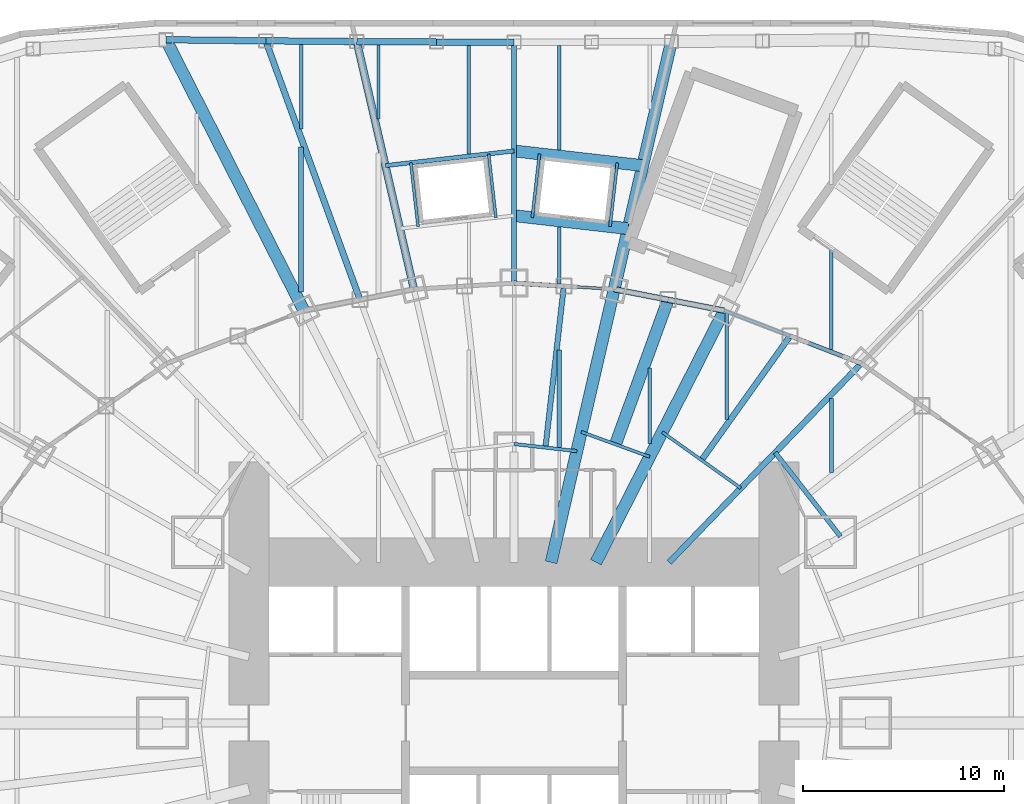
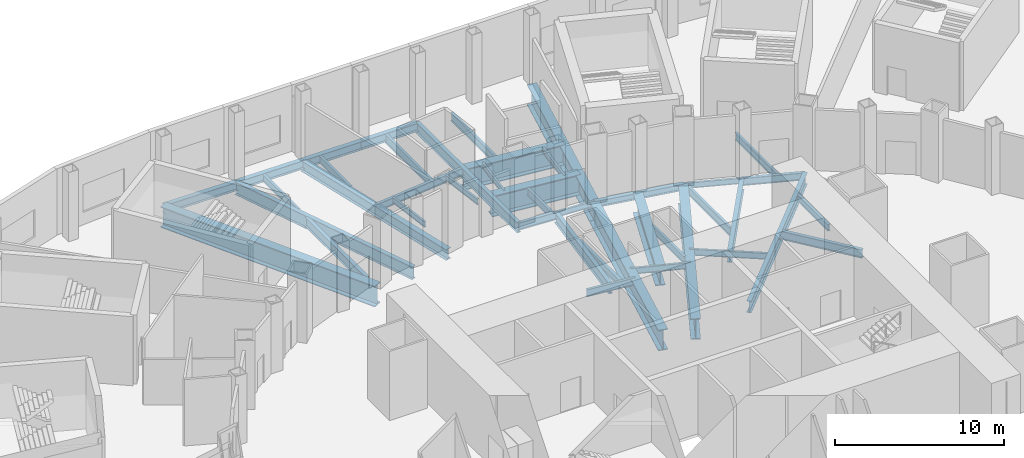
# One storey, part 7 of 73: 43 beams.
"""IFC4 building model written with IfcOpenShell, lengths in metres."""

from ifc_helpers import new_model, si_unit, direction, frame, origin, origin_2d, place, context, subcontext, project, spatial, i_section, extrude, material, material_profile, profile_set, type_object, element, save


model = new_model("IFC4")

# Units and contexts
model_context = context("Model", 3, precision=1e-05, world=origin(), true_north=direction((0.0, 1.0)))
body_context = subcontext(model_context, "Body", "Model", "MODEL_VIEW")
ifc_project = project(units=[si_unit("LENGTHUNIT", "METRE"), si_unit("AREAUNIT", "SQUARE_METRE"), si_unit("VOLUMEUNIT", "CUBIC_METRE"), si_unit("PLANEANGLEUNIT", "RADIAN"), si_unit("MASSUNIT", "GRAM", prefix="KILO")], contexts=[model_context])

# Site, building, storey
site_placement = place(None, origin())
site = spatial("IfcSite", under=ifc_project, at=site_placement, CompositionType="ELEMENT")
building_placement = place(site_placement, origin())
building = spatial("IfcBuilding", under=site, at=building_placement, Name="Lantaw Convention Tower", CompositionType="ELEMENT")
storey_placement = place(building_placement, frame((0.0, 0.0, 22.0)))
storey = spatial("IfcBuildingStorey", under=building, at=storey_placement, Name="L03", CompositionType="ELEMENT", Elevation=22.0)

# Beams
ifc_material_1 = material(Name="Steel ASTM A992", Category="steel")
ifc_material_profile_1 = material_profile(ifc_material_1, i_section(OverallWidth=0.140380859375, OverallDepth=0.40380859375, WebThickness=0.007080078125, FlangeThickness=0.01123046875, FilletRadius=0.01025390625, at=origin_2d()), Name="W16X31")
ifc_profile_set_1 = profile_set([ifc_material_profile_1], Name="Steel ASTM A992")
beam_type_1 = type_object("IfcBeamType", Name="Beam E W16X31", PredefinedType="SPANDREL", material=ifc_profile_set_1)
beam_1_placement = place(storey_placement, frame((13.745361328125, 19.270263671875, -0.40185546875), z_axis=(-0.933241815012, 0.359248820058, 0.0), x_axis=(-0.359248820058, -0.933241815012, 0.0)))
element("IfcBeam", 1, at=beam_1_placement, inside=storey, type_object=beam_type_1, Name="Edge beam 4", PredefinedType="SPANDREL", context=body_context, shape_type="SweptSolid", body=[
    extrude(i_section(OverallWidth=0.140380859375, OverallDepth=0.40380859375, WebThickness=0.007080078125, FlangeThickness=0.01123046875, FilletRadius=0.01025390625, at=origin_2d()), origin(), (0.0, 0.0, 1.0), 3.517578125),
])
beam_2_placement = place(storey_placement, frame((4.986328125, 21.59814453125, -0.40185546875), z_axis=(-0.998172405641, 0.060430527186, 0.0), x_axis=(-0.060430527186, -0.998172405641, 0.0)))
element("IfcBeam", 2, at=beam_2_placement, inside=storey, type_object=beam_type_1, Name="Edge beam 6", PredefinedType="SPANDREL", context=body_context, shape_type="SweptSolid", body=[
    extrude(i_section(OverallWidth=0.140380859375, OverallDepth=0.40380859375, WebThickness=0.007080078125, FlangeThickness=0.01123046875, FilletRadius=0.01025390625, at=origin_2d()), origin(), (0.0, 0.0, 1.0), 2.512939453125),
])
ifc_material_profile_2 = material_profile(ifc_material_1, i_section(OverallWidth=0.279296875, OverallDepth=0.462158203125, WebThickness=0.0107421875, FlangeThickness=0.017333984375, FilletRadius=0.01025390625, at=origin_2d()), Name="W18X76")
ifc_profile_set_2 = profile_set([ifc_material_profile_2], Name="Steel ASTM A992")
beam_type_2 = type_object("IfcBeamType", Name="Beam E W18X76", PredefinedType="SPANDREL", material=ifc_profile_set_2)
beam_3_placement = place(storey_placement, frame((10.462646484375, 20.533935546875, -0.43115234375), z_axis=(-0.98163593748, 0.190763954266, 0.0), x_axis=(-0.190763954266, -0.98163593748, 0.0)))
element("IfcBeam", 3, at=beam_3_placement, inside=storey, type_object=beam_type_2, Name="Edge beam 5", PredefinedType="SPANDREL", context=body_context, shape_type="SweptSolid", body=[
    extrude(i_section(OverallWidth=0.279296875, OverallDepth=0.462158203125, WebThickness=0.0107421875, FlangeThickness=0.017333984375, FilletRadius=0.01025390625, at=origin_2d()), origin(), (0.0, 0.0, 1.0), 2.84375),
])
beam_4_placement = place(storey_placement, frame((7.671142578125, 21.076416015625, -0.43115234375), z_axis=(-0.981637218105, 0.190757364289, 0.0), x_axis=(-0.190757364289, -0.981637218105, 0.0)))
element("IfcBeam", 4, at=beam_4_placement, inside=storey, type_object=beam_type_2, Name="Edge beam 5", PredefinedType="SPANDREL", context=body_context, shape_type="SweptSolid", body=[
    extrude(i_section(OverallWidth=0.279296875, OverallDepth=0.462158203125, WebThickness=0.0107421875, FlangeThickness=0.017333984375, FilletRadius=0.01025390625, at=origin_2d()), origin(), (0.0, 0.0, 1.0), 2.735107421875),
])
ifc_material_profile_3 = material_profile(ifc_material_1, i_section(OverallWidth=0.2099609375, OverallDepth=0.535888671875, WebThickness=0.010986328125, FlangeThickness=0.017333984375, FilletRadius=0.012939453125, at=origin_2d()), Name="W21X68")
ifc_profile_set_3 = profile_set([ifc_material_profile_3], Name="Steel ASTM A992")
beam_type_3 = type_object("IfcBeamType", Name="Beam E W21X68", PredefinedType="SPANDREL", material=ifc_profile_set_3)
beam_5_placement = place(storey_placement, frame((17.290771484375, 17.9052734375, -0.468017578125), z_axis=(-0.933224646415, 0.359293416754, 0.0), x_axis=(-0.359293416754, -0.933224646415, 0.0)))
element("IfcBeam", 5, at=beam_5_placement, inside=storey, type_object=beam_type_3, Name="Edge beam 4", PredefinedType="SPANDREL", context=body_context, shape_type="SweptSolid", body=[
    extrude(i_section(OverallWidth=0.2099609375, OverallDepth=0.535888671875, WebThickness=0.010986328125, FlangeThickness=0.017333984375, FilletRadius=0.012939453125, at=origin_2d()), origin(), (0.0, 0.0, 1.0), 3.799072265625),
])
beam_6_placement = place(storey_placement, frame((2.47802734375, 21.75, -0.468017578125), z_axis=(-0.998175328335, 0.060382231685, 0.0), x_axis=(-0.060382231685, -0.998175328335, 0.0)))
element("IfcBeam", 6, at=beam_6_placement, inside=storey, type_object=beam_type_3, Name="Edge beam 6", PredefinedType="SPANDREL", context=body_context, shape_type="SweptSolid", body=[
    extrude(i_section(OverallWidth=0.2099609375, OverallDepth=0.535888671875, WebThickness=0.010986328125, FlangeThickness=0.017333984375, FilletRadius=0.012939453125, at=origin_2d()), origin(), (0.0, 0.0, 1.0), 2.482666015625),
])
ifc_material_profile_4 = material_profile(ifc_material_1, i_section(OverallWidth=0.3251953125, OverallDepth=0.612060546875, WebThickness=0.0126953125, FlangeThickness=0.01904296875, FilletRadius=0.0126953125, at=origin_2d()), Name="W24X104")
ifc_profile_set_4 = profile_set([ifc_material_profile_4], Name="Steel ASTM A992")
beam_type_4 = type_object("IfcBeamType", Name="Beam E W24X104", PredefinedType="SPANDREL", material=ifc_profile_set_4)
beam_7_placement = place(storey_placement, frame((0.0, 33.89990234375, -0.506103515625), z_axis=(-0.999998320684, 0.001832656174, 0.0), x_axis=(-0.001832656174, -0.999998320684, 0.0)))
element("IfcBeam", 7, at=beam_7_placement, inside=storey, type_object=beam_type_4, Name="Podium edge beam R06", PredefinedType="SPANDREL", context=body_context, shape_type="SweptSolid", body=[
    extrude(i_section(OverallWidth=0.3251953125, OverallDepth=0.612060546875, WebThickness=0.0126953125, FlangeThickness=0.01904296875, FilletRadius=0.0126953125, at=origin_2d()), origin(), (0.0, 0.0, 1.0), 3.86328125),
])
beam_8_placement = place(storey_placement, frame((-3.86328125, 33.906982421875, -0.506103515625), z_axis=(-0.999985686096, 0.005350476918, 0.0), x_axis=(-0.005350476918, -0.999985686096, 0.0)))
element("IfcBeam", 8, at=beam_8_placement, inside=storey, type_object=beam_type_4, Name="Podium edge beam B06", PredefinedType="SPANDREL", context=body_context, shape_type="SweptSolid", body=[
    extrude(i_section(OverallWidth=0.3251953125, OverallDepth=0.612060546875, WebThickness=0.0126953125, FlangeThickness=0.01904296875, FilletRadius=0.0126953125, at=origin_2d()), origin(), (0.0, 0.0, 1.0), 3.9697265625),
])
beam_9_placement = place(storey_placement, frame((-7.8330078125, 33.92822265625, -0.506103515625), z_axis=(-0.999964655563, 0.00840759331, 0.0), x_axis=(-0.00840759331, -0.999964655563, 0.0)))
element("IfcBeam", 9, at=beam_9_placement, inside=storey, type_object=beam_type_4, Name="Podium edge beam R07", PredefinedType="SPANDREL", context=body_context, shape_type="SweptSolid", body=[
    extrude(i_section(OverallWidth=0.3251953125, OverallDepth=0.612060546875, WebThickness=0.0126953125, FlangeThickness=0.01904296875, FilletRadius=0.0126953125, at=origin_2d()), origin(), (0.0, 0.0, 1.0), 4.530029296875),
])
beam_10_placement = place(storey_placement, frame((-12.36279296875, 33.96630859375, -0.506103515625), z_axis=(-0.999942166471, 0.010754706535, 0.0), x_axis=(-0.010754706535, -0.999942166471, 0.0)))
element("IfcBeam", 10, at=beam_10_placement, inside=storey, type_object=beam_type_4, Name="Podium edge beam B07", PredefinedType="SPANDREL", context=body_context, shape_type="SweptSolid", body=[
    extrude(i_section(OverallWidth=0.3251953125, OverallDepth=0.612060546875, WebThickness=0.0126953125, FlangeThickness=0.01904296875, FilletRadius=0.0126953125, at=origin_2d()), origin(), (0.0, 0.0, 1.0), 4.971435546875),
])
ifc_material_2 = material(Name="Steel ASTM A572 Grade 50", Category="steel")
ifc_material_profile_5 = material_profile(ifc_material_2, i_section(OverallWidth=0.60009765625, OverallDepth=1.5, WebThickness=0.02490234375, FlangeThickness=0.06005859375, at=origin_2d()), Name="PG1500X600X25X60")
ifc_profile_set_5 = profile_set([ifc_material_profile_5], Name="Steel ASTM A572 Grade 50")
beam_type_5 = type_object("IfcBeamType", Name="Beam G PG1500X600X25X60", PredefinedType="BEAM", material=ifc_profile_set_5)
beam_11_placement = place(storey_placement, frame((4.076171875, 8.0, -0.949951171875), z_axis=(0.453997016122, 0.891003203896, 0.0), x_axis=(-0.891003203896, 0.453997016122, 0.0)))
element("IfcBeam", 11, at=beam_11_placement, inside=storey, type_object=beam_type_5, Name="Floor girder on ray 5", PredefinedType="BEAM", context=body_context, shape_type="SweptSolid", body=[
    extrude(i_section(OverallWidth=0.60009765625, OverallDepth=1.5, WebThickness=0.02490234375, FlangeThickness=0.06005859375, at=origin_2d()), origin(), (0.0, 0.0, 1.0), 14.067138671875),
])
beam_12_placement = place(storey_placement, frame((5.04931640625, 13.873046875, -0.949951171875), z_axis=(0.342021781151, 0.939692024664, 0.0), x_axis=(-0.939692024664, 0.342021781151, 0.0)))
element("IfcBeam", 12, at=beam_12_placement, inside=storey, type_object=beam_type_5, Name="Floor girder on bisector 5", PredefinedType="BEAM", context=body_context, shape_type="SweptSolid", body=[
    extrude(i_section(OverallWidth=0.60009765625, OverallDepth=1.5, WebThickness=0.02490234375, FlangeThickness=0.06005859375, at=origin_2d()), origin(), (0.0, 0.0, 1.0), 7.665771484375),
])
beam_13_placement = place(storey_placement, frame((1.846923828125, 8.0, -0.949951171875), z_axis=(0.224952773175, 0.97436966796, 0.0), x_axis=(-0.97436966796, 0.224952773175, 0.0)))
element("IfcBeam", 13, at=beam_13_placement, inside=storey, type_object=beam_type_5, Name="Floor girder on ray 6", PredefinedType="BEAM", context=body_context, shape_type="SweptSolid", body=[
    extrude(i_section(OverallWidth=0.60009765625, OverallDepth=1.5, WebThickness=0.02490234375, FlangeThickness=0.06005859375, at=origin_2d()), origin(), (0.0, 0.0, 1.0), 13.955810546875),
])
ifc_material_profile_6 = material_profile(ifc_material_1, i_section(OverallWidth=0.2666015625, OverallDepth=0.76953125, WebThickness=0.015625, FlangeThickness=0.025390625, FilletRadius=0.0126953125, at=origin_2d()), Name="W30X132")
ifc_profile_set_6 = profile_set([ifc_material_profile_6], Name="Steel ASTM A992")
beam_type_6 = type_object("IfcBeamType", Name="Beam G W30X132", PredefinedType="BEAM", material=ifc_profile_set_6)
beam_14_placement = place(storey_placement, frame((1.5625, 13.713134765625, -0.584716796875), z_axis=(0.113183957156, 0.993574049501, 0.0), x_axis=(-0.993574049501, 0.113183957156, 0.0)))
element("IfcBeam", 14, at=beam_14_placement, inside=storey, type_object=beam_type_6, Name="Floor girder on bisector 6", PredefinedType="BEAM", context=body_context, shape_type="SweptSolid", body=[
    extrude(i_section(OverallWidth=0.2666015625, OverallDepth=0.76953125, WebThickness=0.015625, FlangeThickness=0.025390625, FilletRadius=0.0126953125, at=origin_2d()), origin(), (0.0, 0.0, 1.0), 8.0888671875),
])
ifc_material_profile_7 = material_profile(ifc_material_1, i_section(OverallWidth=0.2919921875, OverallDepth=0.845703125, WebThickness=0.015380859375, FlangeThickness=0.0244140625, FilletRadius=0.01513671875, at=origin_2d()), Name="W33X141")
ifc_profile_set_7 = profile_set([ifc_material_profile_7], Name="Steel ASTM A992")
beam_type_7 = type_object("IfcBeamType", Name="Beam G W33X141", PredefinedType="BEAM", material=ifc_profile_set_7)
beam_15_placement = place(storey_placement, frame((7.7255859375, 8.0, -0.622802734375), z_axis=(0.694649884291, 0.719347995239, 0.0), x_axis=(-0.719347995239, 0.694649884291, 0.0)))
element("IfcBeam", 15, at=beam_15_placement, inside=storey, type_object=beam_type_7, Name="Floor girder on ray 4", PredefinedType="BEAM", context=body_context, shape_type="SweptSolid", body=[
    extrude(i_section(OverallWidth=0.2919921875, OverallDepth=0.845703125, WebThickness=0.015380859375, FlangeThickness=0.0244140625, FilletRadius=0.01513671875, at=origin_2d()), origin(), (0.0, 0.0, 1.0), 13.769775390625),
])
beam_16_placement = place(storey_placement, frame((9.335693359375, 13.088134765625, -0.622802734375), z_axis=(0.580702805158, 0.814115625745, 0.0), x_axis=(-0.814115625745, 0.580702805158, 0.0)))
element("IfcBeam", 16, at=beam_16_placement, inside=storey, type_object=beam_type_7, Name="Floor girder on bisector 4", PredefinedType="BEAM", context=body_context, shape_type="SweptSolid", body=[
    extrude(i_section(OverallWidth=0.2919921875, OverallDepth=0.845703125, WebThickness=0.015380859375, FlangeThickness=0.0244140625, FilletRadius=0.01513671875, at=origin_2d()), origin(), (0.0, 0.0, 1.0), 7.59375),
])
ifc_material_profile_8 = material_profile(ifc_material_1, i_section(OverallWidth=0.15234375, OverallDepth=0.449462890625, WebThickness=0.007568359375, FlangeThickness=0.0107421875, FilletRadius=0.01025390625, at=origin_2d()), Name="W18X35")
ifc_profile_set_8 = profile_set([ifc_material_profile_8], Name="Steel ASTM A992")
beam_type_8 = type_object("IfcBeamType", Name="Beam HC W18X35", PredefinedType="BEAM", material=ifc_profile_set_8)
beam_17_placement = place(storey_placement, frame((11.291748046875, 11.69287109375, -0.4248046875), z_axis=(-0.814110909588, 0.580709416912, 0.0), x_axis=(-0.580709416912, -0.814110909588, 0.0)))
element("IfcBeam", 17, at=beam_17_placement, inside=storey, type_object=beam_type_8, Name="Collar beam on bisector 4", PredefinedType="BEAM", context=body_context, shape_type="SweptSolid", body=[
    extrude(i_section(OverallWidth=0.15234375, OverallDepth=0.449462890625, WebThickness=0.007568359375, FlangeThickness=0.0107421875, FilletRadius=0.01025390625, at=origin_2d()), origin(), (0.0, 0.0, 1.0), 4.805419921875),
])
beam_18_placement = place(storey_placement, frame((6.752685546875, 13.253173828125, -0.4248046875), z_axis=(-0.939689171859, 0.342029619025, 0.0), x_axis=(-0.342029619025, -0.939689171859, 0.0)))
element("IfcBeam", 18, at=beam_18_placement, inside=storey, type_object=beam_type_8, Name="Collar beam on bisector 5", PredefinedType="BEAM", context=body_context, shape_type="SweptSolid", body=[
    extrude(i_section(OverallWidth=0.15234375, OverallDepth=0.449462890625, WebThickness=0.007568359375, FlangeThickness=0.0107421875, FilletRadius=0.01025390625, at=origin_2d()), origin(), (0.0, 0.0, 1.0), 3.62548828125),
])
ifc_material_profile_9 = material_profile(ifc_material_1, i_section(OverallWidth=0.165771484375, OverallDepth=0.5283203125, WebThickness=0.009765625, FlangeThickness=0.013671875, FilletRadius=0.012939453125, at=origin_2d()), Name="W21X50")
ifc_profile_set_9 = profile_set([ifc_material_profile_9], Name="Steel ASTM A992")
beam_type_9 = type_object("IfcBeamType", Name="Beam HC W21X50", PredefinedType="BEAM", material=ifc_profile_set_9)
beam_19_placement = place(storey_placement, frame((3.124755859375, 13.534912109375, -0.464111328125), z_axis=(-0.99356540907, 0.113259780595, 0.0), x_axis=(-0.113259780595, -0.99356540907, 0.0)))
element("IfcBeam", 19, at=beam_19_placement, inside=storey, type_object=beam_type_9, Name="Collar beam on bisector 6", PredefinedType="BEAM", context=body_context, shape_type="SweptSolid", body=[
    extrude(i_section(OverallWidth=0.165771484375, OverallDepth=0.5283203125, WebThickness=0.009765625, FlangeThickness=0.013671875, FilletRadius=0.012939453125, at=origin_2d()), origin(), (0.0, 0.0, 1.0), 3.14501953125),
])
ifc_material_profile_10 = material_profile(ifc_material_1, i_section(OverallWidth=0.22900390625, OverallDepth=0.612060546875, WebThickness=0.011962890625, FlangeThickness=0.01953125, FilletRadius=0.0126953125, at=origin_2d()), Name="W24X84")
ifc_profile_set_10 = profile_set([ifc_material_profile_10], Name="Steel ASTM A992")
beam_type_10 = type_object("IfcBeamType", Name="Beam HC W24X84", PredefinedType="BEAM", material=ifc_profile_set_10)
beam_20_placement = place(storey_placement, frame((16.2529296875, 9.287353515625, -0.506103515625), z_axis=(-0.613915067401, 0.789372085913, 0.0), x_axis=(-0.789372085913, -0.613915067401, 0.0)))
element("IfcBeam", 20, at=beam_20_placement, inside=storey, type_object=beam_type_10, Name="Collar beam on bisector 3", PredefinedType="BEAM", context=body_context, shape_type="SweptSolid", body=[
    extrude(i_section(OverallWidth=0.22900390625, OverallDepth=0.612060546875, WebThickness=0.011962890625, FlangeThickness=0.01953125, FilletRadius=0.0126953125, at=origin_2d()), origin(), (0.0, 0.0, 1.0), 5.293212890625),
])
ifc_material_profile_11 = material_profile(ifc_material_1, i_section(OverallWidth=0.1904296875, OverallDepth=0.457275390625, WebThickness=0.009033203125, FlangeThickness=0.014404296875, FilletRadius=0.01025390625, at=origin_2d()), Name="W18X50")
ifc_profile_set_11 = profile_set([ifc_material_profile_11], Name="Steel ASTM A992")
beam_type_11 = type_object("IfcBeamType", Name="Beam J W18X50", PredefinedType="JOIST", material=ifc_profile_set_11)
beam_21_placement = place(storey_placement, frame((15.800048828125, 12.472900390625, -0.4287109375), z_axis=(0.0, 1.0, 0.0), x_axis=(-1.0, 0.0, 0.0)))
element("IfcBeam", 21, at=beam_21_placement, inside=storey, type_object=beam_type_11, Name="Floor joist", PredefinedType="JOIST", context=body_context, shape_type="SweptSolid", body=[
    extrude(i_section(OverallWidth=0.1904296875, OverallDepth=0.457275390625, WebThickness=0.009033203125, FlangeThickness=0.014404296875, FilletRadius=0.01025390625, at=origin_2d()), origin(), (0.0, 0.0, 1.0), 3.67822265625),
])
ifc_material_profile_12 = material_profile(ifc_material_1, i_section(OverallWidth=0.1650390625, OverallDepth=0.52587890625, WebThickness=0.0087890625, FlangeThickness=0.011474609375, FilletRadius=0.0126953125, at=origin_2d()), Name="W21X44")
ifc_profile_set_12 = profile_set([ifc_material_profile_12], Name="Steel ASTM A992")
beam_type_12 = type_object("IfcBeamType", Name="Beam J W21X44", PredefinedType="JOIST", material=ifc_profile_set_12)
beam_22_placement = place(storey_placement, frame((-10.60009765625, 29.572509765625, -0.462890625), z_axis=(0.0, 1.0, 0.0), x_axis=(-1.0, 0.0, 0.0)))
element("IfcBeam", 22, at=beam_22_placement, inside=storey, type_object=beam_type_12, Name="Floor joist", PredefinedType="JOIST", context=body_context, shape_type="SweptSolid", body=[
    extrude(i_section(OverallWidth=0.1650390625, OverallDepth=0.52587890625, WebThickness=0.0087890625, FlangeThickness=0.011474609375, FilletRadius=0.0126953125, at=origin_2d()), origin(), (0.0, 0.0, 1.0), 4.21630859375),
])
beam_23_placement = place(storey_placement, frame((-6.75, 30.084228515625, -0.462890625), z_axis=(0.0, 1.0, 0.0), x_axis=(-1.0, 0.0, 0.0)))
element("IfcBeam", 23, at=beam_23_placement, inside=storey, type_object=beam_type_12, Name="Floor joist", PredefinedType="JOIST", context=body_context, shape_type="SweptSolid", body=[
    extrude(i_section(OverallWidth=0.1650390625, OverallDepth=0.52587890625, WebThickness=0.0087890625, FlangeThickness=0.011474609375, FilletRadius=0.0126953125, at=origin_2d()), origin(), (0.0, 0.0, 1.0), 3.675537109375),
])
beam_24_placement = place(storey_placement, frame((2.25, 21.868896484375, -0.462890625), z_axis=(0.0, 1.0, 0.0), x_axis=(-1.0, 0.0, 0.0)))
element("IfcBeam", 24, at=beam_24_placement, inside=storey, type_object=beam_type_12, Name="Floor joist", PredefinedType="JOIST", context=body_context, shape_type="SweptSolid", body=[
    extrude(i_section(OverallWidth=0.1650390625, OverallDepth=0.52587890625, WebThickness=0.0087890625, FlangeThickness=0.011474609375, FilletRadius=0.0126953125, at=origin_2d()), origin(), (0.0, 0.0, 1.0), 2.835205078125),
])
beam_25_placement = place(storey_placement, frame((6.75, 13.914794921875, -0.462890625), z_axis=(0.0, 1.0, 0.0), x_axis=(-1.0, 0.0, 0.0)))
element("IfcBeam", 25, at=beam_25_placement, inside=storey, type_object=beam_type_12, Name="Floor joist", PredefinedType="JOIST", context=body_context, shape_type="SweptSolid", body=[
    extrude(i_section(OverallWidth=0.1650390625, OverallDepth=0.52587890625, WebThickness=0.0087890625, FlangeThickness=0.011474609375, FilletRadius=0.0126953125, at=origin_2d()), origin(), (0.0, 0.0, 1.0), 3.75341796875),
])
ifc_material_profile_13 = material_profile(ifc_material_1, i_section(OverallWidth=0.165771484375, OverallDepth=0.5283203125, WebThickness=0.009765625, FlangeThickness=0.013671875, FilletRadius=0.012939453125, at=origin_2d()), Name="W21X50")
ifc_profile_set_13 = profile_set([ifc_material_profile_13], Name="Steel ASTM A992")
beam_type_13 = type_object("IfcBeamType", Name="Beam J W21X50", PredefinedType="JOIST", material=ifc_profile_set_13)
beam_26_placement = place(storey_placement, frame((15.800048828125, 18.591552734375, -0.464111328125), z_axis=(0.0, 1.0, 0.0), x_axis=(-1.0, 0.0, 0.0)))
element("IfcBeam", 26, at=beam_26_placement, inside=storey, type_object=beam_type_13, Name="Floor joist", PredefinedType="JOIST", context=body_context, shape_type="SweptSolid", body=[
    extrude(i_section(OverallWidth=0.165771484375, OverallDepth=0.5283203125, WebThickness=0.009765625, FlangeThickness=0.013671875, FilletRadius=0.012939453125, at=origin_2d()), origin(), (0.0, 0.0, 1.0), 4.93212890625),
])
ifc_material_profile_14 = material_profile(ifc_material_1, i_section(OverallWidth=0.2099609375, OverallDepth=0.535888671875, WebThickness=0.010986328125, FlangeThickness=0.017333984375, FilletRadius=0.012939453125, at=origin_2d()), Name="W21X68")
ifc_profile_set_14 = profile_set([ifc_material_profile_14], Name="Steel ASTM A992")
beam_type_14 = type_object("IfcBeamType", Name="Beam J W21X68", PredefinedType="JOIST", material=ifc_profile_set_14)
beam_27_placement = place(storey_placement, frame((2.25, 13.71826171875, -0.468017578125), z_axis=(0.0, 1.0, 0.0), x_axis=(-1.0, 0.0, 0.0)))
element("IfcBeam", 27, at=beam_27_placement, inside=storey, type_object=beam_type_14, Name="Floor joist", PredefinedType="JOIST", context=body_context, shape_type="SweptSolid", body=[
    extrude(i_section(OverallWidth=0.2099609375, OverallDepth=0.535888671875, WebThickness=0.010986328125, FlangeThickness=0.017333984375, FilletRadius=0.012939453125, at=origin_2d()), origin(), (0.0, 0.0, 1.0), 4.851806640625),
])
ifc_material_profile_15 = material_profile(ifc_material_1, i_section(OverallWidth=0.177978515625, OverallDepth=0.599365234375, WebThickness=0.010009765625, FlangeThickness=0.012939453125, FilletRadius=0.012939453125, at=origin_2d()), Name="W24X55")
ifc_profile_set_15 = profile_set([ifc_material_profile_15], Name="Steel ASTM A992")
beam_type_15 = type_object("IfcBeamType", Name="Beam J W24X55", PredefinedType="JOIST", material=ifc_profile_set_15)
beam_28_placement = place(storey_placement, frame((-2.25, 28.33251953125, -0.499755859375), z_axis=(0.0, 1.0, 0.0), x_axis=(-1.0, 0.0, 0.0)))
element("IfcBeam", 28, at=beam_28_placement, inside=storey, type_object=beam_type_15, Name="Floor joist", PredefinedType="JOIST", context=body_context, shape_type="SweptSolid", body=[
    extrude(i_section(OverallWidth=0.177978515625, OverallDepth=0.599365234375, WebThickness=0.010009765625, FlangeThickness=0.012939453125, FilletRadius=0.012939453125, at=origin_2d()), origin(), (0.0, 0.0, 1.0), 5.408935546875),
])
beam_29_placement = place(storey_placement, frame((2.25, 28.528564453125, -0.499755859375), z_axis=(0.0, 1.0, 0.0), x_axis=(-1.0, 0.0, 0.0)))
element("IfcBeam", 29, at=beam_29_placement, inside=storey, type_object=beam_type_15, Name="Floor joist", PredefinedType="JOIST", context=body_context, shape_type="SweptSolid", body=[
    extrude(i_section(OverallWidth=0.177978515625, OverallDepth=0.599365234375, WebThickness=0.010009765625, FlangeThickness=0.012939453125, FilletRadius=0.012939453125, at=origin_2d()), origin(), (0.0, 0.0, 1.0), 5.212890625),
])
beam_30_placement = place(storey_placement, frame((10.60009765625, 15.112060546875, -0.499755859375), z_axis=(0.0, 1.0, 0.0), x_axis=(-1.0, 0.0, 0.0)))
element("IfcBeam", 30, at=beam_30_placement, inside=storey, type_object=beam_type_15, Name="Floor joist", PredefinedType="JOIST", context=body_context, shape_type="SweptSolid", body=[
    extrude(i_section(OverallWidth=0.177978515625, OverallDepth=0.599365234375, WebThickness=0.010009765625, FlangeThickness=0.012939453125, FilletRadius=0.012939453125, at=origin_2d()), origin(), (0.0, 0.0, 1.0), 5.293701171875),
])
ifc_material_profile_16 = material_profile(ifc_material_1, i_section(OverallWidth=0.25390625, OverallDepth=0.683349609375, WebThickness=0.012451171875, FlangeThickness=0.01904296875, FilletRadius=0.01513671875, at=origin_2d()), Name="W27X94")
ifc_profile_set_16 = profile_set([ifc_material_profile_16], Name="Steel ASTM A992")
beam_type_16 = type_object("IfcBeamType", Name="Beam J W27X94", PredefinedType="JOIST", material=ifc_profile_set_16)
beam_31_placement = place(storey_placement, frame((-10.60009765625, 21.464599609375, -0.541748046875), z_axis=(0.0, 1.0, 0.0), x_axis=(-1.0, 0.0, 0.0)))
element("IfcBeam", 31, at=beam_31_placement, inside=storey, type_object=beam_type_16, Name="Floor joist", PredefinedType="JOIST", context=body_context, shape_type="SweptSolid", body=[
    extrude(i_section(OverallWidth=0.25390625, OverallDepth=0.683349609375, WebThickness=0.012451171875, FlangeThickness=0.01904296875, FilletRadius=0.01513671875, at=origin_2d()), origin(), (0.0, 0.0, 1.0), 7.20947265625),
])
ifc_material_profile_17 = material_profile(ifc_material_2, i_section(OverallWidth=0.60009765625, OverallDepth=1.5, WebThickness=0.02490234375, FlangeThickness=0.06005859375, at=origin_2d()), Name="PG1500X600X25X60")
ifc_profile_set_17 = profile_set([ifc_material_profile_17], Name="Steel ASTM A572 Grade 50")
beam_type_17 = type_object("IfcBeamType", Name="Beam PG PG1500X600X25X60", PredefinedType="BEAM", material=ifc_profile_set_17)
beam_32_placement = place(storey_placement, frame((4.986328125, 21.59814453125, -0.949951171875), z_axis=(0.224955319834, 0.974369080009, 0.0), x_axis=(-0.974369080009, 0.224955319834, 0.0)))
element("IfcBeam", 32, at=beam_32_placement, inside=storey, type_object=beam_type_17, Name="Podium girder PR06", PredefinedType="BEAM", context=body_context, shape_type="SweptSolid", body=[
    extrude(i_section(OverallWidth=0.60009765625, OverallDepth=1.5, WebThickness=0.02490234375, FlangeThickness=0.06005859375, at=origin_2d()), origin(), (0.0, 0.0, 1.0), 12.654541015625),
])
beam_33_placement = place(storey_placement, frame((-10.462646484375, 20.533935546875, -0.949951171875), z_axis=(-0.453988364005, 0.891007612396, 0.0), x_axis=(-0.891007612396, -0.453988364005, 0.0)))
element("IfcBeam", 33, at=beam_33_placement, inside=storey, type_object=beam_type_17, Name="Podium girder PR09", PredefinedType="BEAM", context=body_context, shape_type="SweptSolid", body=[
    extrude(i_section(OverallWidth=0.60009765625, OverallDepth=1.5, WebThickness=0.02490234375, FlangeThickness=0.06005859375, at=origin_2d()), origin(), (0.0, 0.0, 1.0), 15.135498046875),
])
ifc_material_profile_18 = material_profile(ifc_material_1, i_section(OverallWidth=0.2666015625, OverallDepth=0.76953125, WebThickness=0.015625, FlangeThickness=0.025390625, FilletRadius=0.0126953125, at=origin_2d()), Name="W30X132")
ifc_profile_set_18 = profile_set([ifc_material_profile_18], Name="Steel ASTM A992")
beam_type_18 = type_object("IfcBeamType", Name="Beam PG W30X132", PredefinedType="BEAM", material=ifc_profile_set_18)
beam_34_placement = place(storey_placement, frame((0.0, 21.89990234375, -0.584716796875), z_axis=(0.0, 1.0, 0.0), x_axis=(-1.0, 0.0, 0.0)))
element("IfcBeam", 34, at=beam_34_placement, inside=storey, type_object=beam_type_18, Name="Podium girder PR07", PredefinedType="BEAM", context=body_context, shape_type="SweptSolid", body=[
    extrude(i_section(OverallWidth=0.2666015625, OverallDepth=0.76953125, WebThickness=0.015625, FlangeThickness=0.025390625, FilletRadius=0.0126953125, at=origin_2d()), origin(), (0.0, 0.0, 1.0), 12.0),
])
ifc_material_profile_19 = material_profile(ifc_material_1, i_section(OverallWidth=0.381103515625, OverallDepth=0.772216796875, WebThickness=0.0166015625, FlangeThickness=0.027099609375, FilletRadius=0.0146484375, at=origin_2d()), Name="W30X173")
ifc_profile_set_19 = profile_set([ifc_material_profile_19], Name="Steel ASTM A992")
beam_type_19 = type_object("IfcBeamType", Name="Beam PG W30X173", PredefinedType="BEAM", material=ifc_profile_set_19)
beam_35_placement = place(storey_placement, frame((-4.986328125, 21.59814453125, -0.586181640625), z_axis=(-0.224955319834, 0.974369080009, 0.0), x_axis=(-0.974369080009, -0.224955319834, 0.0)))
element("IfcBeam", 35, at=beam_35_placement, inside=storey, type_object=beam_type_19, Name="Podium girder PR08", PredefinedType="BEAM", context=body_context, shape_type="SweptSolid", body=[
    extrude(i_section(OverallWidth=0.381103515625, OverallDepth=0.772216796875, WebThickness=0.0166015625, FlangeThickness=0.027099609375, FilletRadius=0.0146484375, at=origin_2d()), origin(), (0.0, 0.0, 1.0), 12.654541015625),
])
ifc_material_profile_20 = material_profile(ifc_material_1, i_section(OverallWidth=0.307373046875, OverallDepth=0.922119140625, WebThickness=0.018310546875, FlangeThickness=0.030029296875, FilletRadius=0.0126953125, at=origin_2d()), Name="W36X182")
ifc_profile_set_20 = profile_set([ifc_material_profile_20], Name="Steel ASTM A992")
beam_type_20 = type_object("IfcBeamType", Name="Beam PG W36X182", PredefinedType="BEAM", material=ifc_profile_set_20)
beam_36_placement = place(storey_placement, frame((-7.671142578125, 21.076416015625, -0.660888671875), z_axis=(-0.342027428416, 0.939689969198, 0.0), x_axis=(-0.939689969198, -0.342027428416, 0.0)))
element("IfcBeam", 36, at=beam_36_placement, inside=storey, type_object=beam_type_20, Name="Podium girder PB08", PredefinedType="BEAM", context=body_context, shape_type="SweptSolid", body=[
    extrude(i_section(OverallWidth=0.307373046875, OverallDepth=0.922119140625, WebThickness=0.018310546875, FlangeThickness=0.030029296875, FilletRadius=0.0126953125, at=origin_2d()), origin(), (0.0, 0.0, 1.0), 13.71728515625),
])
ifc_material_profile_21 = material_profile(ifc_material_2, i_section(OverallWidth=0.60009765625, OverallDepth=1.5, WebThickness=0.02490234375, FlangeThickness=0.06005859375, at=origin_2d()), Name="PG1500X600X25X60")
ifc_profile_set_21 = profile_set([ifc_material_profile_21], Name="Steel ASTM A572 Grade 50")
beam_type_21 = type_object("IfcBeamType", Name="Beam TR PG1500X600X25X60", PredefinedType="BEAM", material=ifc_profile_set_21)
beam_37_placement = place(storey_placement, frame((5.682861328125, 24.614990234375, -0.949951171875), z_axis=(-0.99357223569, 0.11319987838, 0.0), x_axis=(-0.11319987838, -0.99357223569, 0.0)))
element("IfcBeam", 37, at=beam_37_placement, inside=storey, type_object=beam_type_21, Name="Opening trimmer beam", PredefinedType="BEAM", context=body_context, shape_type="SweptSolid", body=[
    extrude(i_section(OverallWidth=0.60009765625, OverallDepth=1.5, WebThickness=0.02490234375, FlangeThickness=0.06005859375, at=origin_2d()), origin(), (0.0, 0.0, 1.0), 5.7197265625),
])
beam_38_placement = place(storey_placement, frame((0.0, 28.483154296875, -0.949951171875), z_axis=(0.993572392644, -0.113198500762, 0.0), x_axis=(0.113198500762, 0.993572392644, 0.0)))
element("IfcBeam", 38, at=beam_38_placement, inside=storey, type_object=beam_type_21, Name="Opening trimmer beam", PredefinedType="BEAM", context=body_context, shape_type="SweptSolid", body=[
    extrude(i_section(OverallWidth=0.60009765625, OverallDepth=1.5, WebThickness=0.02490234375, FlangeThickness=0.06005859375, at=origin_2d()), origin(), (0.0, 0.0, 1.0), 6.44873046875),
])
ifc_material_profile_22 = material_profile(ifc_material_1, i_section(OverallWidth=0.140380859375, OverallDepth=0.40380859375, WebThickness=0.007080078125, FlangeThickness=0.01123046875, FilletRadius=0.01025390625, at=origin_2d()), Name="W16X31")
ifc_profile_set_22 = profile_set([ifc_material_profile_22], Name="Steel ASTM A992")
beam_type_22 = type_object("IfcBeamType", Name="Beam TR W16X31", PredefinedType="BEAM", material=ifc_profile_set_22)
beam_39_placement = place(storey_placement, frame((0.904052734375, 25.159423828125, -0.40185546875), z_axis=(0.113144208648, 0.993578576686, 0.0), x_axis=(-0.993578576686, 0.113144208648, 0.0)))
element("IfcBeam", 39, at=beam_39_placement, inside=storey, type_object=beam_type_22, Name="Opening header beam", PredefinedType="BEAM", context=body_context, shape_type="SweptSolid", body=[
    extrude(i_section(OverallWidth=0.140380859375, OverallDepth=0.40380859375, WebThickness=0.007080078125, FlangeThickness=0.01123046875, FilletRadius=0.01025390625, at=origin_2d()), origin(), (0.0, 0.0, 1.0), 3.199951171875),
])
for number, where, z_axis, x_axis, name in (
    (40, (5.14111328125, 27.897216796875, -0.40185546875), (-0.11322810814, -0.993569019005, 0.0), (0.993569019005, -0.11322810814, 0.0), "Opening header beam"),
    (41, (-4.77880859375, 24.718017578125, -0.40185546875), (-0.11322810814, 0.993569019005, 0.0), (-0.993569019005, -0.11322810814, 0.0), "Opening header beam"),
):
    element("IfcBeam", number, at=place(storey_placement, frame(where, z_axis=z_axis, x_axis=x_axis)), inside=storey, type_object=beam_type_22, Name=name, PredefinedType="BEAM", context=body_context, shape_type="SweptSolid", body=[
        extrude(i_section(OverallWidth=0.140380859375, OverallDepth=0.40380859375, WebThickness=0.007080078125, FlangeThickness=0.01123046875, FilletRadius=0.01025390625, at=origin_2d()), origin(), (0.0, 0.0, 1.0), 3.19970703125),
    ])
beam_40_placement = place(storey_placement, frame((-1.26611328125, 28.3388671875, -0.40185546875), z_axis=(0.113144208648, -0.993578576686, 0.0), x_axis=(0.993578576686, 0.113144208648, 0.0)))
element("IfcBeam", 42, at=beam_40_placement, inside=storey, type_object=beam_type_22, Name="Opening header beam", PredefinedType="BEAM", context=body_context, shape_type="SweptSolid", body=[
    extrude(i_section(OverallWidth=0.140380859375, OverallDepth=0.40380859375, WebThickness=0.007080078125, FlangeThickness=0.01123046875, FilletRadius=0.01025390625, at=origin_2d()), origin(), (0.0, 0.0, 1.0), 3.199951171875),
])
ifc_material_profile_23 = material_profile(ifc_material_1, i_section(OverallWidth=0.2099609375, OverallDepth=0.535888671875, WebThickness=0.010986328125, FlangeThickness=0.017333984375, FilletRadius=0.012939453125, at=origin_2d()), Name="W21X68")
ifc_profile_set_23 = profile_set([ifc_material_profile_23], Name="Steel ASTM A992")
beam_type_23 = type_object("IfcBeamType", Name="Beam TR W21X68", PredefinedType="BEAM", material=ifc_profile_set_23)
beam_41_placement = place(storey_placement, frame((-6.4072265625, 27.753173828125, -0.468017578125), z_axis=(0.993572392644, 0.113198500762, 0.0), x_axis=(-0.113198500762, 0.993572392644, 0.0)))
element("IfcBeam", 43, at=beam_41_placement, inside=storey, type_object=beam_type_23, Name="Opening trimmer beam", PredefinedType="BEAM", context=body_context, shape_type="SweptSolid", body=[
    extrude(i_section(OverallWidth=0.2099609375, OverallDepth=0.535888671875, WebThickness=0.010986328125, FlangeThickness=0.017333984375, FilletRadius=0.012939453125, at=origin_2d()), origin(), (0.0, 0.0, 1.0), 6.44873046875),
])

save(model, "model.ifc")
